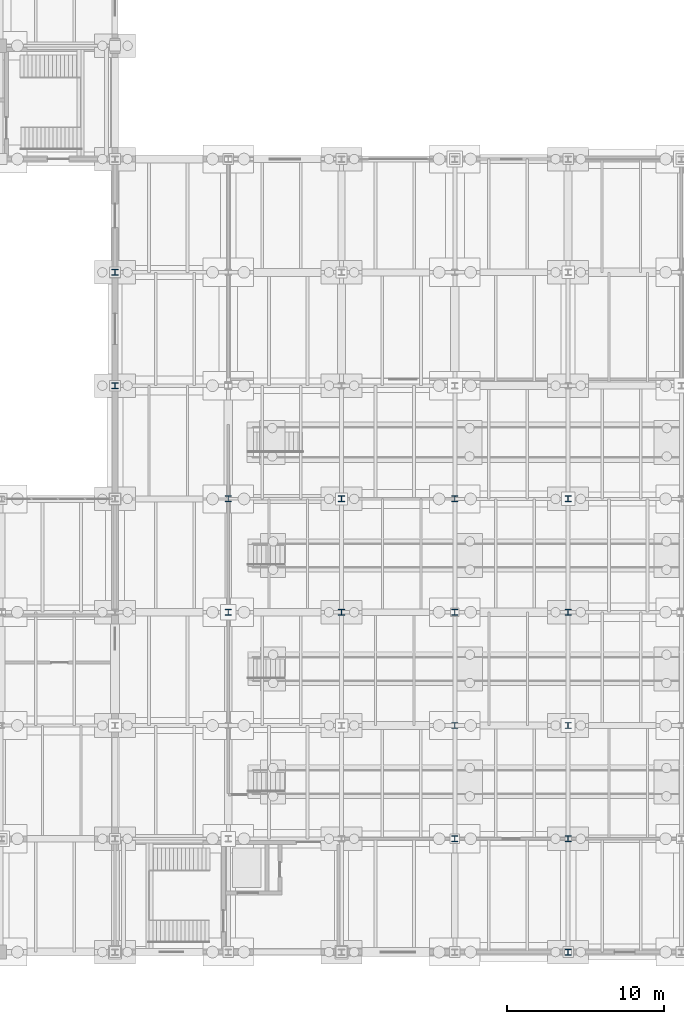
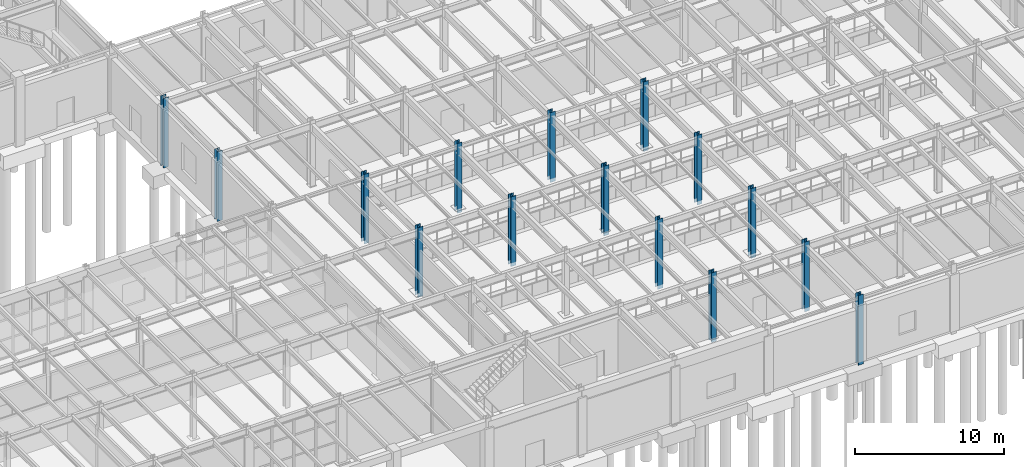
# One storey, part 27 of 293: 15 columns.
"""IFC4 building model written with IfcOpenShell, lengths in metres."""

import ifcopenshell
import ifcopenshell.guid

model = None  # the IFC model being written
_history = None  # IfcOwnerHistory: only IFC2X3 demands one
_inside = {}  # id of a spatial element -> (the spatial element, [elements in it])
_under = {}  # id of a project, library or spatial element -> (it, [spatial elements below it])
_declared = {}  # id of a project -> (the project, [libraries it declares])
_typed = {}  # id of a type object -> (the type object, [elements of that type])
_made_of = {}  # id of a material, layer set ... -> (it, [elements and type objects made of it])


def new_model(schema):
    """Start an empty IFC model of exactly this schema.

    Asked for "IFC4X3", IfcOpenShell would pick the latest addendum, in which some entities
    have other attributes; the version numbers below select the first issue.
    IFC2X3 requires an IfcOwnerHistory on every rooted entity: one is made here for all.
    """
    global model, _history
    if schema == "IFC4X3":
        model = ifcopenshell.file(schema_version=(4, 3, 0, 0))
    else:
        model = ifcopenshell.file(schema=schema)
    _inside.clear()
    _under.clear()
    _declared.clear()
    _typed.clear()
    _made_of.clear()
    _history = None
    if model.schema == "IFC2X3":
        org = make("IfcOrganization", Name="unknown")
        user = make(
            "IfcPersonAndOrganization",
            ThePerson=make("IfcPerson", FamilyName="unknown"),
            TheOrganization=org,
        )
        app = make(
            "IfcApplication",
            ApplicationDeveloper=org,
            Version="unknown",
            ApplicationFullName="unknown",
            ApplicationIdentifier="unknown",
        )
        _history = make(
            "IfcOwnerHistory",
            OwningUser=user,
            OwningApplication=app,
            ChangeAction="ADDED",
            CreationDate=0,
        )
    return model


def make(cls, **values):
    """One entity of the class cls with the attributes given. An attribute that is None is left unset."""
    return model.create_entity(
        cls, **{name: value for name, value in values.items() if value is not None}
    )


def rooted(cls, **values):
    """An entity with a GlobalId (a new one), such as an element, a storey or a relation."""
    return make(cls, GlobalId=ifcopenshell.guid.new(), OwnerHistory=_history, **values)


def si_unit(unit_type, name, prefix=None):
    """IfcSIUnit, for example si_unit("LENGTHUNIT", "METRE", prefix="MILLI")."""
    return make("IfcSIUnit", UnitType=unit_type, Prefix=prefix, Name=name)


def assignment(units):
    """IfcUnitAssignment: the units of a project."""
    return None if units is None else make("IfcUnitAssignment", Units=units)


def point(xyz):
    """IfcCartesianPoint."""
    return None if xyz is None else make("IfcCartesianPoint", Coordinates=xyz)


def direction(xyz):
    """IfcDirection."""
    return None if xyz is None else make("IfcDirection", DirectionRatios=xyz)


def frame(location, z_axis=None, x_axis=None):
    """IfcAxis2Placement3D, a coordinate frame: its origin and axes. An axis left out is left unset."""
    return make(
        "IfcAxis2Placement3D",
        Location=point(location),
        Axis=direction(z_axis),
        RefDirection=direction(x_axis),
    )


def frame_2d(location, x_axis=None):
    """IfcAxis2Placement2D, a coordinate frame in the plane: its origin and x axis."""
    return make(
        "IfcAxis2Placement2D", Location=point(location), RefDirection=direction(x_axis)
    )


def origin():
    """The frame at (0, 0, 0) with its axes left unset."""
    return frame((0.0, 0.0, 0.0))


def origin_2d():
    """The frame at (0, 0) in the plane with its x axis left unset."""
    return frame_2d((0.0, 0.0))


def place(relative_to, where):
    """IfcLocalPlacement: puts the frame where relative to a parent placement (None: the world)."""
    return make(
        "IfcLocalPlacement", PlacementRelTo=relative_to, RelativePlacement=where
    )


def context(
    kind, dimensions, precision=None, world=None, true_north=None, identifier=None
):
    """IfcGeometricRepresentationContext, for example the 3D "Model" context."""
    return make(
        "IfcGeometricRepresentationContext",
        ContextIdentifier=identifier,
        ContextType=kind,
        CoordinateSpaceDimension=dimensions,
        Precision=precision,
        WorldCoordinateSystem=world,
        TrueNorth=true_north,
    )


def subcontext(parent, identifier, kind, view, scale=None):
    """IfcGeometricRepresentationSubContext, for example "Body" below "Model"."""
    return make(
        "IfcGeometricRepresentationSubContext",
        ContextIdentifier=identifier,
        ContextType=kind,
        ParentContext=parent,
        TargetScale=scale,
        TargetView=view,
    )


def project(units=None, contexts=None):
    """IfcProject with its units and contexts."""
    return rooted(
        "IfcProject",
        Name="project",
        RepresentationContexts=contexts,
        UnitsInContext=assignment(units),
    )


def spatial(cls, under=None, at=None, **own):
    """A site, building, storey or space (cls), placed at a placement, below another one or the project."""
    s = rooted(cls, ObjectPlacement=at, **own)
    if under is not None:
        _under.setdefault(under.id(), (under, []))[1].append(s)
    return s


def profile(cls, at=None, kind="AREA", **sizes):
    """A parametric profile (cls). Its sizes go by their IFC names, for example OverallWidth=200.0."""
    return make(cls, ProfileType=kind, Position=at, **sizes)


def i_section(**sizes):
    """IfcIShapeProfileDef."""
    return profile("IfcIShapeProfileDef", **sizes)


def extrude(swept, where, along, depth):
    """IfcExtrudedAreaSolid: the profile swept, set in the frame where, extruded along a direction by depth."""
    return make(
        "IfcExtrudedAreaSolid",
        SweptArea=swept,
        Position=where,
        ExtrudedDirection=direction(along),
        Depth=depth,
    )


def shape(context_of_items, identifier, shape_type, items):
    """IfcShapeRepresentation: the items that make up one representation, for example the "Body"."""
    return make(
        "IfcShapeRepresentation",
        ContextOfItems=context_of_items,
        RepresentationIdentifier=identifier,
        RepresentationType=shape_type,
        Items=items,
    )


def material(Name=None, Category=None):
    """IfcMaterial."""
    return make("IfcMaterial", Name=Name, Category=Category)


def material_profile(
    of_material, cross_section, Name=None, Category=None, Priority=None
):
    """IfcMaterialProfile: a cross section and its material."""
    return make(
        "IfcMaterialProfile",
        Name=Name,
        Material=of_material,
        Profile=cross_section,
        Priority=Priority,
        Category=Category,
    )


def profile_set(profiles, Name=None, composite=None):
    """IfcMaterialProfileSet."""
    return make(
        "IfcMaterialProfileSet",
        Name=Name,
        MaterialProfiles=profiles,
        CompositeProfile=composite,
    )


def made_of(thing, what):
    """Note that an element or type object is made of a material, layer set ...; save() writes the relation."""
    if what is not None:
        _made_of.setdefault(what.id(), (what, []))[1].append(thing)
    return thing


def type_object(cls, material=None, **own):
    """A type object (cls), such as IfcWallType, which elements share."""
    return made_of(rooted(cls, **own), material)


def element(
    cls,
    number,
    at=None,
    inside=None,
    cuts=None,
    type_object=None,
    material=None,
    context=None,
    identifier="Body",
    shape_type=None,
    held_by="IfcProductDefinitionShape",
    body=None,
    shapes=None,
    **own,
):
    """One element of the class cls, such as IfcWall. Its Tag is "e" and its number.

    at: its placement. inside: the storey or other place that contains it. cuts: it is an
    opening in that element (IfcRelVoidsElement). A single representation is given by context,
    identifier, shape_type and body (its items); several are given by shapes. held_by: the class
    of the entity that holds the representations. save() writes the other relations.
    """
    e = rooted(cls, Tag="e%d" % number, ObjectPlacement=at, **own)
    if body is not None:
        shapes = [shape(context, identifier, shape_type, body)]
    if shapes is not None:
        e.Representation = make(held_by, Representations=shapes)
    if inside is not None:
        _inside.setdefault(inside.id(), (inside, []))[1].append(e)
    if cuts is not None:
        rooted(
            "IfcRelVoidsElement", RelatingBuildingElement=cuts, RelatedOpeningElement=e
        )
    if type_object is not None:
        _typed.setdefault(type_object.id(), (type_object, []))[1].append(e)
    return made_of(e, material)


def aggregate(whole, parts):
    """IfcRelAggregates: a whole, such as a stair, and the parts it consists of."""
    return rooted("IfcRelAggregates", RelatingObject=whole, RelatedObjects=parts)


def save(model, path):
    """Write the relations noted so far, then the file.

    IfcRelAggregates (storeys below a building ...), IfcRelContainedInSpatialStructure (elements
    in a storey), IfcRelDefinesByType, IfcRelAssociatesMaterial and IfcRelDeclares: one each for
    every whole, place, type object, material and project.
    """
    for whole, parts in _under.values():
        aggregate(whole, parts)
    for where, things in _inside.values():
        rooted(
            "IfcRelContainedInSpatialStructure",
            RelatedElements=things,
            RelatingStructure=where,
        )
    for kind, things in _typed.values():
        rooted("IfcRelDefinesByType", RelatedObjects=things, RelatingType=kind)
    for what, things in _made_of.values():
        rooted("IfcRelAssociatesMaterial", RelatedObjects=things, RelatingMaterial=what)
    for by, libraries in _declared.values():
        rooted("IfcRelDeclares", RelatingContext=by, RelatedDefinitions=libraries)
    model.write(path)


model = new_model("IFC4")

# Units and contexts
model_context = context("Model", 3, precision=1e-05, world=origin(), true_north=direction((0.0, 1.0)))
body_context = subcontext(model_context, "Body", "Model", "MODEL_VIEW")
ifc_project = project(units=[si_unit("LENGTHUNIT", "METRE"), si_unit("AREAUNIT", "SQUARE_METRE"), si_unit("VOLUMEUNIT", "CUBIC_METRE"), si_unit("PLANEANGLEUNIT", "RADIAN"), si_unit("MASSUNIT", "GRAM", prefix="KILO")], contexts=[model_context])

# Site, building, storey
site_placement = place(None, origin())
site = spatial("IfcSite", under=ifc_project, at=site_placement, CompositionType="ELEMENT")
building_placement = place(site_placement, origin())
building = spatial("IfcBuilding", under=site, at=building_placement, Name="Kemerveld Promenade Tramway Depot", CompositionType="ELEMENT")
storey_placement = place(building_placement, origin())
storey = spatial("IfcBuildingStorey", under=building, at=storey_placement, Name="L00", CompositionType="ELEMENT", Elevation=0.0)

# Columns
ifc_material = material(Name="Steel S355", Category="steel")
ifc_material_profile = material_profile(ifc_material, i_section(OverallWidth=0.394775390625, OverallDepth=0.381103515625, WebThickness=0.018310546875, FlangeThickness=0.0302734375, FilletRadius=0.01513671875, at=origin_2d()), Name="356x406x235 UC")
ifc_profile_set = profile_set([ifc_material_profile], Name="Steel S355")
column_type = type_object("IfcColumnType", Name="COL-S02", PredefinedType="COLUMN", material=ifc_profile_set)
for number, where, z_axis, x_axis, name in (
    (1, (158.39990234375, 36.0, -0.300048828125), (0.0, 0.0, 1.0), (1.0, 0.0, 0.0), "COL-L00-23-F"),
    (2, (158.39990234375, 43.199951171875, -0.300048828125), (0.0, 0.0, 1.0), (1.0, 0.0, 0.0), "COL-L00-23-G"),
    (3, (165.60009765625, 21.60009765625, -0.300048828125), (0.0, 0.0, 1.0), (1.0, 0.0, 0.0), "COL-L00-24-D"),
    (4, (165.60009765625, 28.800048828125, -0.300048828125), (0.0, 0.0, 1.0), (1.0, 0.0, 0.0), "COL-L00-24-E"),
    (5, (172.800048828125, 21.60009765625, -0.300048828125), (0.0, 0.0, 1.0), (1.0, 0.0, 0.0), "COL-L00-25-D"),
    (6, (172.800048828125, 28.800048828125, -0.300048828125), (0.0, 0.0, 1.0), (1.0, 0.0, 0.0), "COL-L00-25-E"),
    (7, (180.0, 7.199951171875, -0.300048828125), (0.0, 0.0, 1.0), (1.0, 0.0, 0.0), "COL-L00-26-B"),
    (8, (180.0, 14.39990234375, -0.300048828125), (0.0, 0.0, 1.0), (1.0, 0.0, 0.0), "COL-L00-26-C"),
    (9, (180.0, 21.60009765625, -0.300048828125), (0.0, 0.0, 1.0), (1.0, 0.0, 0.0), "COL-L00-26-D"),
    (10, (180.0, 28.800048828125, -0.300048828125), (0.0, 0.0, 1.0), (1.0, 0.0, 0.0), "COL-L00-26-E"),
    (11, (187.199951171875, 0.0, -0.300048828125), (0.0, 0.0, 1.0), (1.0, 0.0, 0.0), "COL-L00-27-A"),
    (12, (187.199951171875, 7.199951171875, -0.300048828125), (0.0, 0.0, 1.0), (1.0, 0.0, 0.0), "COL-L00-27-B"),
    (13, (187.199951171875, 14.39990234375, -0.300048828125), (0.0, 0.0, 1.0), (1.0, 0.0, 0.0), "COL-L00-27-C"),
    (14, (187.199951171875, 21.60009765625, -0.300048828125), (0.0, 0.0, 1.0), (1.0, 0.0, 0.0), "COL-L00-27-D"),
    (15, (187.199951171875, 28.800048828125, -0.300048828125), (0.0, 0.0, 1.0), (1.0, 0.0, 0.0), "COL-L00-27-E"),
):
    element("IfcColumn", number, at=place(storey_placement, frame(where, z_axis=z_axis, x_axis=x_axis)), inside=storey, type_object=column_type, Name=name, PredefinedType="COLUMN", context=body_context, shape_type="SweptSolid", body=[
        extrude(i_section(OverallWidth=0.394775390625, OverallDepth=0.381103515625, WebThickness=0.018310546875, FlangeThickness=0.0302734375, FilletRadius=0.01513671875, at=origin_2d()), origin(), (0.0, 0.0, 1.0), 5.699951171875),
    ])

save(model, "model.ifc")
